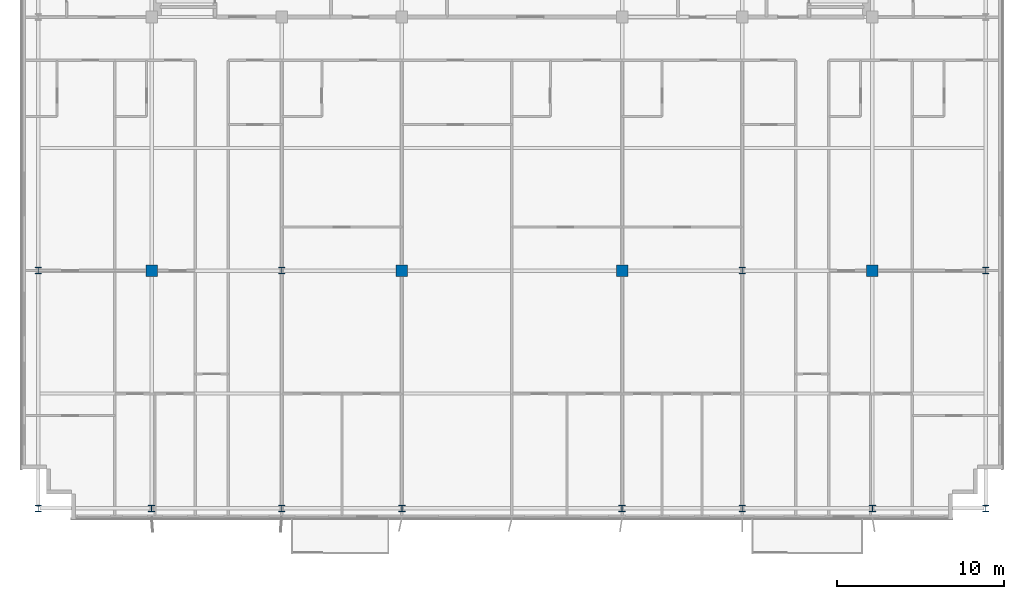
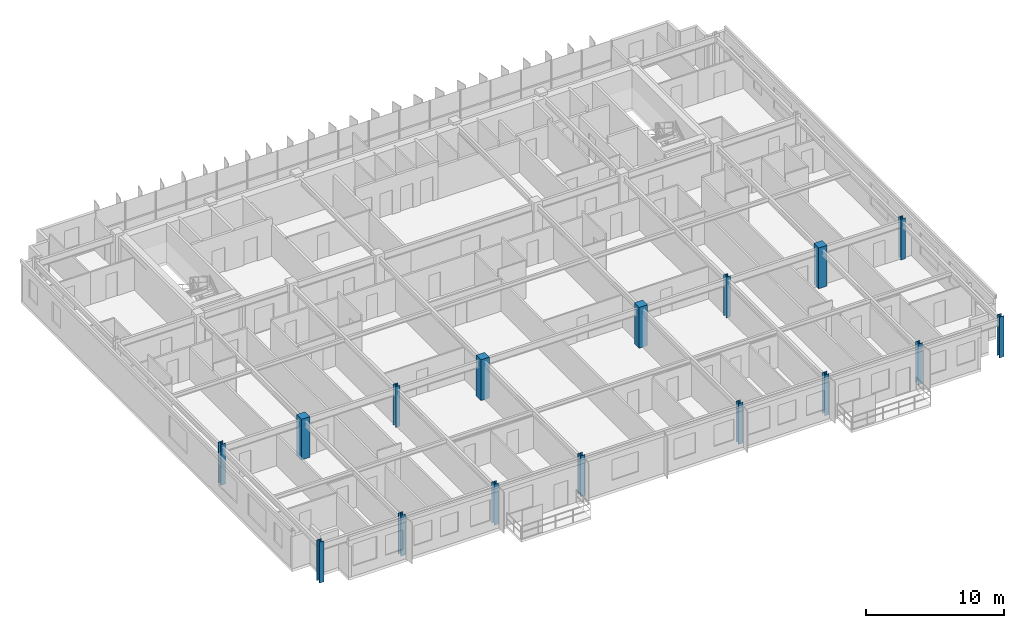
# One storey, part 1 of 22: 16 columns.
"""IFC4 building model written with IfcOpenShell, lengths in metres."""

from ifc_helpers import new_model, si_unit, direction, frame, origin, origin_2d, place, context, subcontext, project, spatial, rectangle, i_section, extrude, source, transform, mapped, material, material_profile, profile_set, type_object, element, save


model = new_model("IFC4")

# Units and contexts
model_context = context("Model", 3, precision=1e-05, world=origin(), true_north=direction((0.0, 1.0)))
body_context = subcontext(model_context, "Body", "Model", "MODEL_VIEW")
ifc_project = project(units=[si_unit("LENGTHUNIT", "METRE"), si_unit("AREAUNIT", "SQUARE_METRE"), si_unit("VOLUMEUNIT", "CUBIC_METRE"), si_unit("PLANEANGLEUNIT", "RADIAN"), si_unit("MASSUNIT", "GRAM", prefix="KILO")], contexts=[model_context])

# Site, building, storey
site_placement = place(None, origin())
site = spatial("IfcSite", under=ifc_project, at=site_placement, CompositionType="ELEMENT")
building_placement = place(site_placement, origin())
building = spatial("IfcBuilding", under=site, at=building_placement, Name="Trelvane Seafront Commons", CompositionType="ELEMENT")
storey_placement = place(building_placement, frame((0.0, 0.0, 139.300048828125)))
storey = spatial("IfcBuildingStorey", under=building, at=storey_placement, Name="L36", CompositionType="ELEMENT", Elevation=139.300048828125)

# Columns
ifc_material_1 = material(Name="Steel SM355 (S355)", Category="steel")
ifc_material_profile_1 = material_profile(ifc_material_1, i_section(OverallWidth=0.3798828125, OverallDepth=0.3798828125, WebThickness=0.02001953125, FlangeThickness=0.030029296875, at=origin_2d()), Name="HD-380x380x20x30")
ifc_profile_set_1 = profile_set([ifc_material_profile_1], Name="Steel SM355 (S355)")
column_type_1 = type_object("IfcColumnType", Name="STR-COL-HD380", PredefinedType="COLUMN", material=ifc_profile_set_1)
shared_shape_1 = source(origin(), body_context, "Body", "SweptSolid", [
    extrude(i_section(OverallWidth=0.3798828125, OverallDepth=0.3798828125, WebThickness=0.02001953125, FlangeThickness=0.030029296875, at=origin_2d()), origin(), (0.0, 0.0, 1.0), 3.599853515625),
])
for number, where, z_axis, x_axis, name in (
    (1, (8.800048828125, 3.949951171875, 0.0), (0.0, 0.0, 1.0), (1.0, 0.0, 0.0), "L36 Column TC-S8.8"),
    (2, (8.800048828125, 18.199951171875, 0.0), (0.0, 0.0, 1.0), (1.0, 0.0, 0.0), "L36 Column TC-M8.8"),
    (3, (15.60009765625, 3.949951171875, 0.0), (0.0, 0.0, 1.0), (1.0, 0.0, 0.0), "L36 Column TC-S15.6"),
    (4, (23.39990234375, 3.949951171875, 0.0), (0.0, 0.0, 1.0), (1.0, 0.0, 0.0), "L36 Column TC-S23.4"),
    (5, (23.39990234375, 18.199951171875, 0.0), (0.0, 0.0, 1.0), (1.0, 0.0, 0.0), "L36 Column TC-M23.4"),
    (6, (30.60009765625, 3.949951171875, 0.0), (0.0, 0.0, 1.0), (1.0, 0.0, 0.0), "L36 Column TC-S30.6"),
    (7, (43.800048828125, 3.949951171875, 0.0), (0.0, 0.0, 1.0), (1.0, 0.0, 0.0), "L36 Column TC-S43.8"),
    (8, (51.0, 3.949951171875, 0.0), (0.0, 0.0, 1.0), (1.0, 0.0, 0.0), "L36 Column TC-S51.0"),
    (9, (51.0, 18.199951171875, 0.0), (0.0, 0.0, 1.0), (1.0, 0.0, 0.0), "L36 Column TC-M51.0"),
    (10, (58.800048828125, 3.949951171875, 0.0), (0.0, 0.0, 1.0), (1.0, 0.0, 0.0), "L36 Column TC-S58.8"),
    (11, (65.60009765625, 3.949951171875, 0.0), (0.0, 0.0, 1.0), (1.0, 0.0, 0.0), "L36 Column TC-S65.6"),
    (12, (65.60009765625, 18.199951171875, 0.0), (0.0, 0.0, 1.0), (1.0, 0.0, 0.0), "L36 Column TC-M65.6"),
):
    element("IfcColumn", number, at=place(storey_placement, frame(where, z_axis=z_axis, x_axis=x_axis)), inside=storey, type_object=column_type_1, Name=name, PredefinedType="COLUMN", context=body_context, shape_type="MappedRepresentation", body=[
        mapped(shared_shape_1, transform((0.0, 0.0, 0.0), x_axis=(1.0, 0.0, 0.0), y_axis=(0.0, 1.0, 0.0), z_axis=(0.0, 0.0, 1.0), scale=1.0)),
    ])
ifc_material_2 = material(Name="Concrete C50/60", Category="concrete")
ifc_material_profile_2 = material_profile(ifc_material_2, rectangle(XDim=0.699951171875, YDim=0.699951171875, at=origin_2d()), Name="RC-700x700")
ifc_profile_set_2 = profile_set([ifc_material_profile_2], Name="Concrete C50/60")
column_type_2 = type_object("IfcColumnType", Name="STR-COL-RC700", PredefinedType="COLUMN", material=ifc_profile_set_2)
shared_shape_2 = source(origin(), body_context, "Body", "SweptSolid", [
    extrude(rectangle(XDim=0.699951171875, YDim=0.699951171875, at=origin_2d()), origin(), (0.0, 0.0, 1.0), 3.599853515625),
])
for number, where, z_axis, x_axis, name in (
    (13, (15.60009765625, 18.199951171875, 0.0), (0.0, 0.0, 1.0), (1.0, 0.0, 0.0), "L36 Column TC-M15.6"),
    (14, (30.60009765625, 18.199951171875, 0.0), (0.0, 0.0, 1.0), (1.0, 0.0, 0.0), "L36 Column TC-M30.6"),
    (15, (43.800048828125, 18.199951171875, 0.0), (0.0, 0.0, 1.0), (1.0, 0.0, 0.0), "L36 Column TC-M43.8"),
    (16, (58.800048828125, 18.199951171875, 0.0), (0.0, 0.0, 1.0), (1.0, 0.0, 0.0), "L36 Column TC-M58.8"),
):
    element("IfcColumn", number, at=place(storey_placement, frame(where, z_axis=z_axis, x_axis=x_axis)), inside=storey, type_object=column_type_2, Name=name, PredefinedType="COLUMN", context=body_context, shape_type="MappedRepresentation", body=[
        mapped(shared_shape_2, transform((0.0, 0.0, 0.0), x_axis=(1.0, 0.0, 0.0), y_axis=(0.0, 1.0, 0.0), z_axis=(0.0, 0.0, 1.0), scale=1.0)),
    ])

save(model, "model.ifc")
